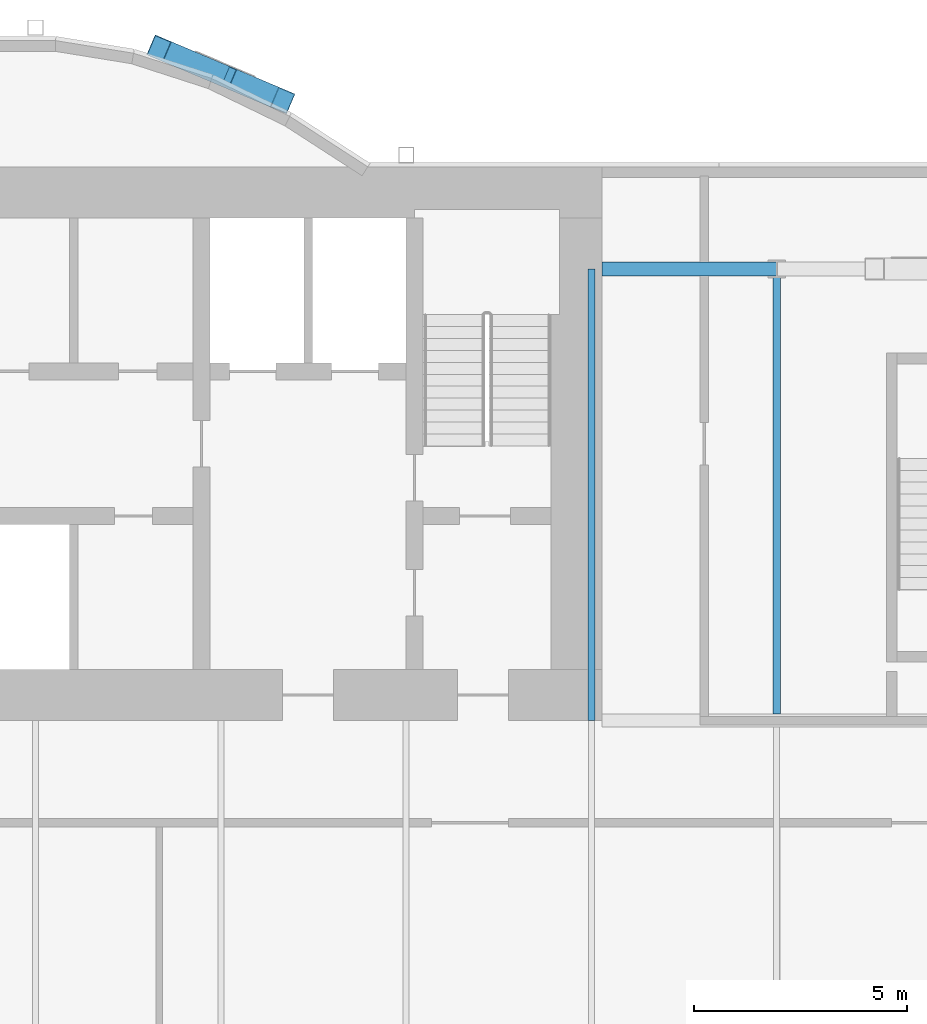
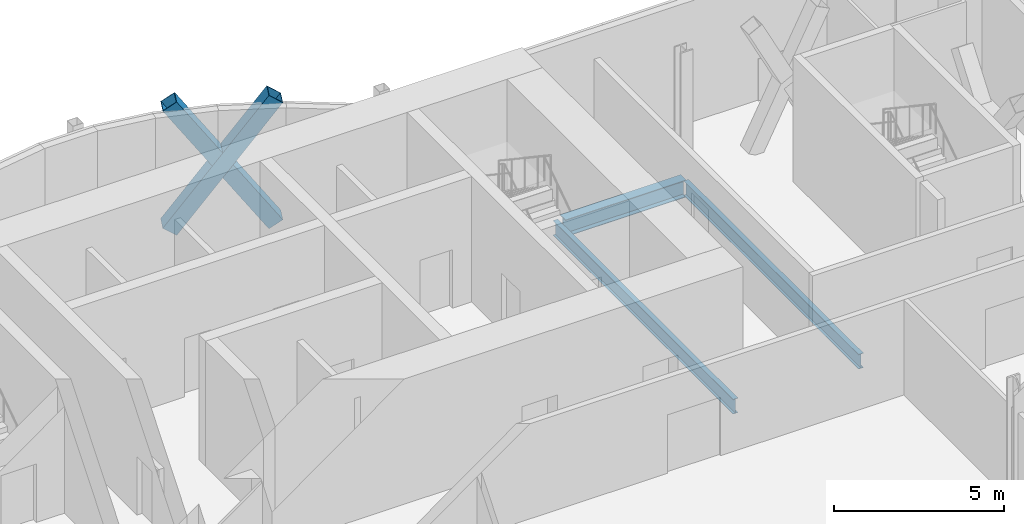
# One storey, part 11 of 22: 3 beams, 3 members.
"""IFC4 building model written with IfcOpenShell, lengths in metres."""

from ifc_helpers import new_model, si_unit, direction, frame, origin, origin_2d, place, context, subcontext, project, spatial, hollow_rectangle, i_section, extrude, material, material_profile, profile_set, type_object, element, save


model = new_model("IFC4")

# Units and contexts
model_context = context("Model", 3, precision=1e-05, world=origin(), true_north=direction((0.0, 1.0)))
body_context = subcontext(model_context, "Body", "Model", "MODEL_VIEW")
ifc_project = project(units=[si_unit("LENGTHUNIT", "METRE"), si_unit("AREAUNIT", "SQUARE_METRE"), si_unit("VOLUMEUNIT", "CUBIC_METRE"), si_unit("PLANEANGLEUNIT", "RADIAN"), si_unit("MASSUNIT", "GRAM", prefix="KILO")], contexts=[model_context])

# Site, building, storey
site_placement = place(None, origin())
site = spatial("IfcSite", under=ifc_project, at=site_placement, CompositionType="ELEMENT")
building_placement = place(site_placement, origin())
building = spatial("IfcBuilding", under=site, at=building_placement, Name="Bicima Exchange Tower", CompositionType="ELEMENT")
storey_placement = place(building_placement, frame((0.0, 0.0, 39.5)))
storey = spatial("IfcBuildingStorey", under=building, at=storey_placement, Name="L07", CompositionType="ELEMENT", Elevation=39.5)

# Beams
ifc_material_1 = material(Name="Steel ASTM A992 Gr 50", Category="steel")
ifc_material_profile_1 = material_profile(ifc_material_1, i_section(OverallWidth=0.165771484375, OverallDepth=0.5283203125, WebThickness=0.009765625, FlangeThickness=0.013671875, at=origin_2d()))
ifc_profile_set_1 = profile_set([ifc_material_profile_1], Name="Steel ASTM A992 Gr 50")
beam_type_1 = type_object("IfcBeamType", Name="Floor beam W21x50", PredefinedType="JOIST", material=ifc_profile_set_1)
beam_1_placement = place(storey_placement, frame((21.75, -2.39990234375, -0.414306640625), z_axis=(0.0, -1.0, 0.0), x_axis=(1.0, 0.0, 0.0)))
element("IfcBeam", 1, at=beam_1_placement, inside=storey, type_object=beam_type_1, Name="Floor beam", PredefinedType="JOIST", context=body_context, shape_type="SweptSolid", body=[
    extrude(i_section(OverallWidth=0.165771484375, OverallDepth=0.5283203125, WebThickness=0.009765625, FlangeThickness=0.013671875, at=origin_2d()), origin(), (0.0, 0.0, 1.0), 10.60009765625),
])
beam_2_placement = place(storey_placement, frame((26.10009765625, -2.5625, -0.414306640625), z_axis=(0.0, -1.0, 0.0), x_axis=(1.0, 0.0, 0.0)))
element("IfcBeam", 2, at=beam_2_placement, inside=storey, type_object=beam_type_1, Name="Floor beam", PredefinedType="JOIST", context=body_context, shape_type="SweptSolid", body=[
    extrude(i_section(OverallWidth=0.165771484375, OverallDepth=0.5283203125, WebThickness=0.009765625, FlangeThickness=0.013671875, at=origin_2d()), origin(), (0.0, 0.0, 1.0), 10.28515625),
])

# Members
ifc_material_2 = material(Name="Steel ASTM A572 Gr 50", Category="steel")
ifc_material_profile_2 = material_profile(ifc_material_2, hollow_rectangle(XDim=0.508056640625, YDim=0.508056640625, WallThickness=0.017822265625, at=origin_2d()))
ifc_profile_set_2 = profile_set([ifc_material_profile_2], Name="Steel ASTM A572 Gr 50")
member_type = type_object("IfcMemberType", Name="Mega brace HSS20x20x3/4", PredefinedType="BRACE", material=ifc_profile_set_2)
member_placement = place(storey_placement, frame((11.60009765625, 2.783203125, 0.0), z_axis=(0.527996544474, -0.223413927642, 0.819332573476), x_axis=(0.389685518438, 0.920947988064, 0.0)))
element("IfcMember", 3, at=member_placement, inside=storey, type_object=member_type, Name="Mega brace rexo", PredefinedType="BRACE", context=body_context, shape_type="SweptSolid", body=[
    extrude(hollow_rectangle(XDim=0.508056640625, YDim=0.508056640625, WallThickness=0.017822265625, at=origin_2d()), origin(), (0.0, 0.0, 1.0), 5.4921875),
])
for number, where, z_axis, x_axis, name in (
    (4, (14.5, 1.55615234375, 0.0), (-0.5279955228, 0.223451707932, 0.819322929086), (-0.38974204658, -0.920924066972, 0.0), "Mega brace rexo"),
    (5, (12.965576171875, 2.20556640625, 2.381103515625), (-0.528006658597, 0.223362015777, 0.819340209184), (-0.389602387733, -0.920983159169, 0.0), "Mega brace rexo"),
):
    element("IfcMember", number, at=place(storey_placement, frame(where, z_axis=z_axis, x_axis=x_axis)), inside=storey, type_object=member_type, Name=name, PredefinedType="BRACE", context=body_context, shape_type="SweptSolid", body=[
        extrude(hollow_rectangle(XDim=0.508056640625, YDim=0.508056640625, WallThickness=0.017822265625, at=origin_2d()), origin(), (0.0, 0.0, 1.0), 2.586181640625),
    ])

# Beam
ifc_material_profile_3 = material_profile(ifc_material_1, i_section(OverallWidth=0.3251953125, OverallDepth=0.612060546875, WebThickness=0.0126953125, FlangeThickness=0.01904296875, at=origin_2d()))
ifc_profile_set_3 = profile_set([ifc_material_profile_3], Name="Steel ASTM A992 Gr 50")
beam_type_2 = type_object("IfcBeamType", Name="Rear girder W24x104", PredefinedType="BEAM", material=ifc_profile_set_3)
beam_3_placement = place(storey_placement, frame((22.0, -2.39990234375, -0.4560546875), z_axis=(1.0, 0.0, 0.0), x_axis=(0.0, 1.0, 0.0)))
element("IfcBeam", 6, at=beam_3_placement, inside=storey, type_object=beam_type_2, Name="Rear girder", PredefinedType="BEAM", context=body_context, shape_type="SweptSolid", body=[
    extrude(i_section(OverallWidth=0.3251953125, OverallDepth=0.612060546875, WebThickness=0.0126953125, FlangeThickness=0.01904296875, at=origin_2d()), origin(), (0.0, 0.0, 1.0), 4.10009765625),
])

save(model, "model.ifc")
